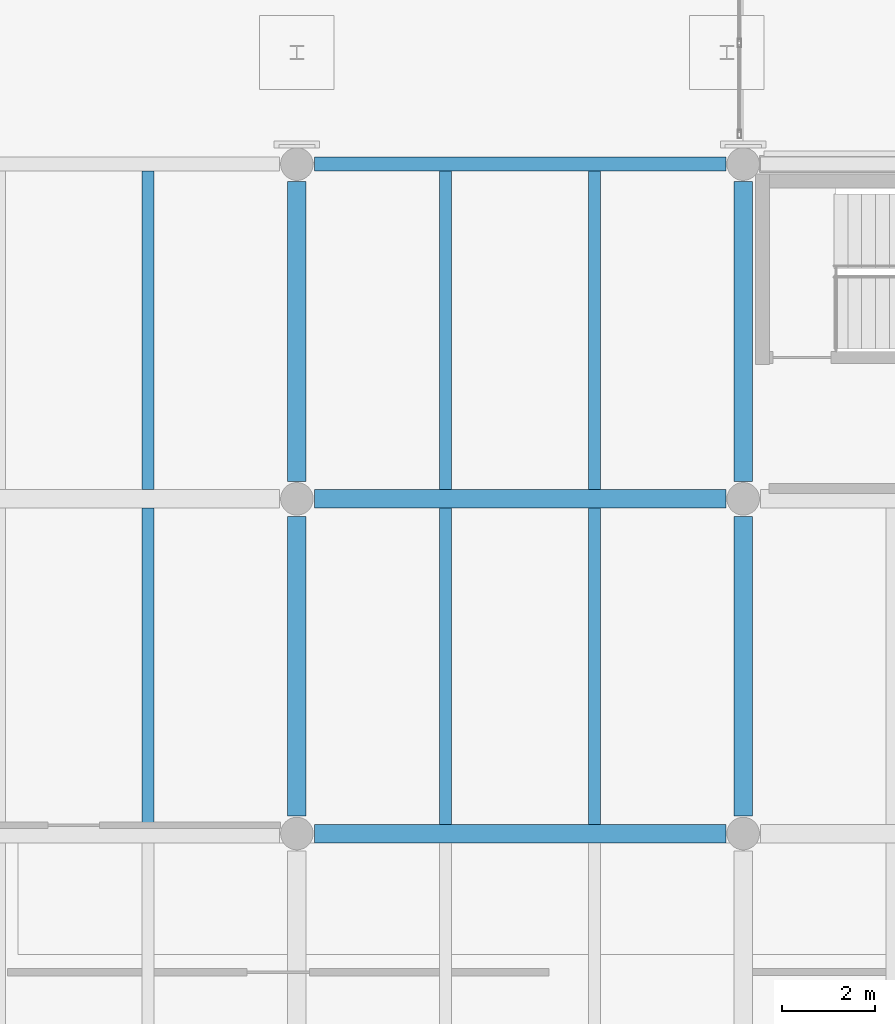
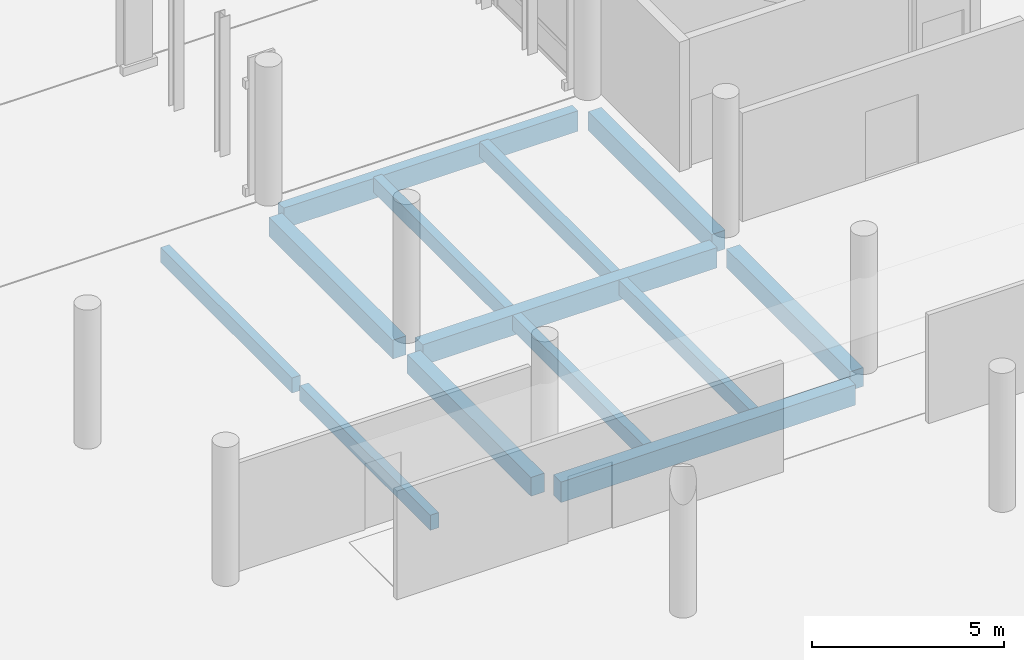
# One storey, part 56 of 196: 13 beams.
"""IFC4 building model written with IfcOpenShell, lengths in metres."""

from ifc_helpers import new_model, si_unit, direction, frame, origin, origin_2d, place, context, subcontext, project, spatial, rectangle, extrude, material, material_profile, profile_set, type_object, element, save


model = new_model("IFC4")

# Units and contexts
model_context = context("Model", 3, precision=1e-05, world=origin(), true_north=direction((0.0, 1.0)))
body_context = subcontext(model_context, "Body", "Model", "MODEL_VIEW")
ifc_project = project(units=[si_unit("LENGTHUNIT", "METRE"), si_unit("AREAUNIT", "SQUARE_METRE"), si_unit("VOLUMEUNIT", "CUBIC_METRE"), si_unit("PLANEANGLEUNIT", "RADIAN"), si_unit("MASSUNIT", "GRAM", prefix="KILO")], contexts=[model_context])

# Site, building, storey
site_placement = place(None, origin())
site = spatial("IfcSite", under=ifc_project, at=site_placement, CompositionType="ELEMENT")
building_placement = place(site_placement, origin())
building = spatial("IfcBuilding", under=site, at=building_placement, Name="Asteropetra Specialist Clinic", CompositionType="ELEMENT")
storey_placement = place(building_placement, origin())
storey = spatial("IfcBuildingStorey", under=building, at=storey_placement, Name="L00", CompositionType="ELEMENT", Elevation=0.0)

# Beams
ifc_material_1 = material(Name="Concrete C35/45", Category="concrete")
ifc_material_profile_1 = material_profile(ifc_material_1, rectangle(XDim=0.39990234375, YDim=0.60009765625, at=origin_2d()), Name="RCB 400x600")
ifc_profile_set_1 = profile_set([ifc_material_profile_1], Name="Concrete C35/45")
beam_type_1 = type_object("IfcBeamType", Name="BM-RC400x600", PredefinedType="BEAM", material=ifc_profile_set_1)
for number, where, z_axis, x_axis, name in (
    (1, (19.199951171875, 48.375, -0.60009765625), (0.0, 1.0, 0.0), (-1.0, 0.0, 0.0), "Beam BBM08-0189"),
    (2, (28.800048828125, 48.375, -0.60009765625), (0.0, 1.0, 0.0), (-1.0, 0.0, 0.0), "Beam BBM08-0190"),
    (3, (19.199951171875, 55.574951171875, -0.60009765625), (0.0, 1.0, 0.0), (-1.0, 0.0, 0.0), "Beam BBM08-0204"),
    (4, (28.800048828125, 55.574951171875, -0.60009765625), (0.0, 1.0, 0.0), (-1.0, 0.0, 0.0), "Beam BBM08-0205"),
):
    element("IfcBeam", number, at=place(storey_placement, frame(where, z_axis=z_axis, x_axis=x_axis)), inside=storey, type_object=beam_type_1, Name=name, PredefinedType="BEAM", context=body_context, shape_type="SweptSolid", body=[
        extrude(rectangle(XDim=0.39990234375, YDim=0.60009765625, at=origin_2d()), origin(), (0.0, 0.0, 1.0), 6.449951171875),
    ])
ifc_material_2 = material(Name="Concrete C35/45", Category="concrete")
ifc_material_profile_2 = material_profile(ifc_material_2, rectangle(XDim=0.39990234375, YDim=0.64990234375, at=origin_2d()), Name="RCB 400x650")
ifc_profile_set_2 = profile_set([ifc_material_profile_2], Name="Concrete C35/45")
beam_type_2 = type_object("IfcBeamType", Name="BM-RC400x650", PredefinedType="BEAM", material=ifc_profile_set_2)
for number, where, z_axis, x_axis, name in (
    (5, (19.574951171875, 48.0, -0.625), (1.0, 0.0, 0.0), (0.0, 1.0, 0.0), "Beam BBM07-0145"),
    (6, (19.574951171875, 55.199951171875, -0.625), (1.0, 0.0, 0.0), (0.0, 1.0, 0.0), "Beam BBM07-0150"),
):
    element("IfcBeam", number, at=place(storey_placement, frame(where, z_axis=z_axis, x_axis=x_axis)), inside=storey, type_object=beam_type_2, Name=name, PredefinedType="BEAM", context=body_context, shape_type="SweptSolid", body=[
        extrude(rectangle(XDim=0.39990234375, YDim=0.64990234375, at=origin_2d()), origin(), (0.0, 0.0, 1.0), 8.85009765625),
    ])
ifc_material_3 = material(Name="Concrete C35/45", Category="concrete")
ifc_material_profile_3 = material_profile(ifc_material_3, rectangle(XDim=0.260009765625, YDim=0.47998046875, at=origin_2d()), Name="RCJ 260x480")
ifc_profile_set_3 = profile_set([ifc_material_profile_3], Name="Concrete C35/45")
beam_type_3 = type_object("IfcBeamType", Name="JST-RC260x480", PredefinedType="JOIST", material=ifc_profile_set_3)
for number, where, z_axis, x_axis, name in (
    (7, (16.0, 48.199951171875, -0.5400390625), (0.0, 1.0, 0.0), (-1.0, 0.0, 0.0), "Joist JJST02-0195"),
    (8, (22.39990234375, 48.199951171875, -0.5400390625), (0.0, 1.0, 0.0), (-1.0, 0.0, 0.0), "Joist JJST02-0196"),
    (9, (25.60009765625, 48.199951171875, -0.5400390625), (0.0, 1.0, 0.0), (-1.0, 0.0, 0.0), "Joist JJST02-0197"),
):
    element("IfcBeam", number, at=place(storey_placement, frame(where, z_axis=z_axis, x_axis=x_axis)), inside=storey, type_object=beam_type_3, Name=name, PredefinedType="JOIST", context=body_context, shape_type="SweptSolid", body=[
        extrude(rectangle(XDim=0.260009765625, YDim=0.47998046875, at=origin_2d()), origin(), (0.0, 0.0, 1.0), 6.800048828125),
    ])
for number, where, z_axis, x_axis, name in (
    (10, (16.0, 55.39990234375, -0.5400390625), (0.0, 1.0, 0.0), (-1.0, 0.0, 0.0), "Joist JJST02-0210"),
    (11, (22.39990234375, 55.39990234375, -0.5400390625), (0.0, 1.0, 0.0), (-1.0, 0.0, 0.0), "Joist JJST02-0211"),
    (12, (25.60009765625, 55.39990234375, -0.5400390625), (0.0, 1.0, 0.0), (-1.0, 0.0, 0.0), "Joist JJST02-0212"),
):
    element("IfcBeam", number, at=place(storey_placement, frame(where, z_axis=z_axis, x_axis=x_axis)), inside=storey, type_object=beam_type_3, Name=name, PredefinedType="JOIST", context=body_context, shape_type="SweptSolid", body=[
        extrude(rectangle(XDim=0.260009765625, YDim=0.47998046875, at=origin_2d()), origin(), (0.0, 0.0, 1.0), 6.85009765625),
    ])
ifc_material_4 = material(Name="Concrete C35/45", Category="concrete")
ifc_material_profile_4 = material_profile(ifc_material_4, rectangle(XDim=0.300048828125, YDim=0.64990234375, at=origin_2d()), Name="RCS 300x650")
ifc_profile_set_4 = profile_set([ifc_material_profile_4], Name="Concrete C35/45")
beam_type_4 = type_object("IfcBeamType", Name="SPN-RC300x650", PredefinedType="SPANDREL", material=ifc_profile_set_4)
beam_placement = place(storey_placement, frame((19.574951171875, 62.39990234375, -0.675048828125), z_axis=(1.0, 0.0, 0.0), x_axis=(0.0, 1.0, 0.0)))
element("IfcBeam", 13, at=beam_placement, inside=storey, type_object=beam_type_4, Name="Beam BSPN03-0155", PredefinedType="SPANDREL", context=body_context, shape_type="SweptSolid", body=[
    extrude(rectangle(XDim=0.300048828125, YDim=0.64990234375, at=origin_2d()), origin(), (0.0, 0.0, 1.0), 8.85009765625),
])

save(model, "model.ifc")
